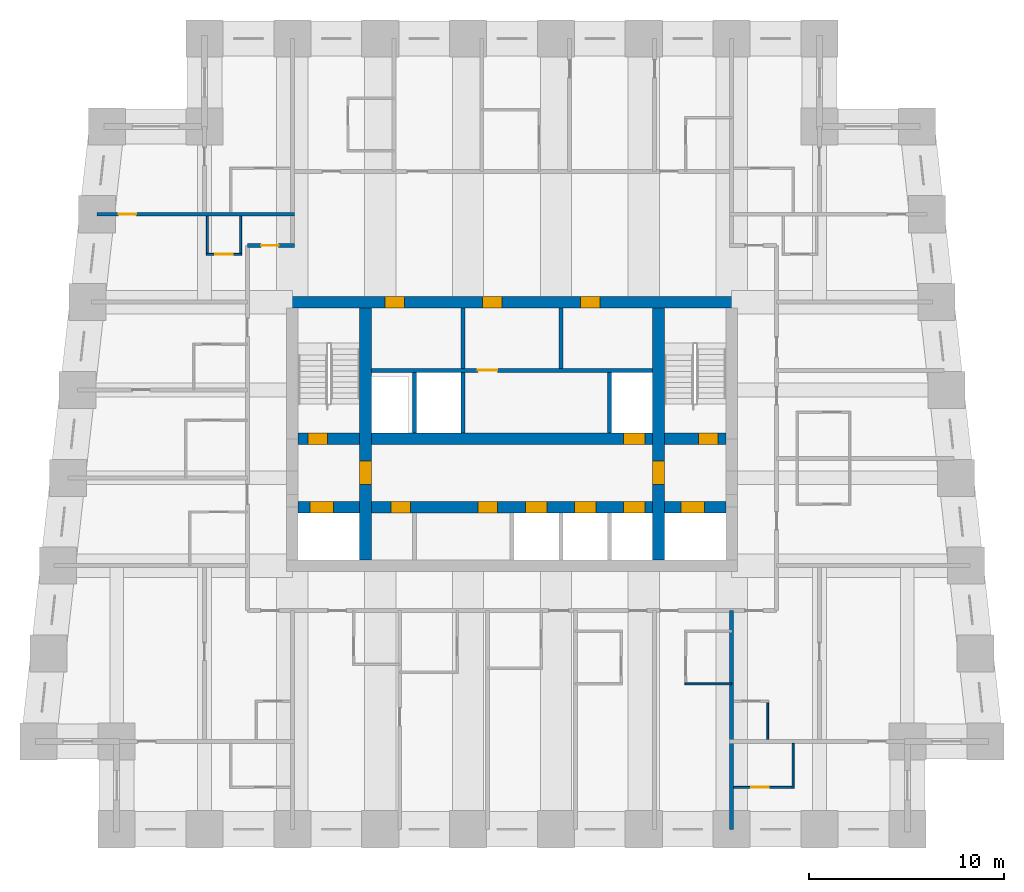
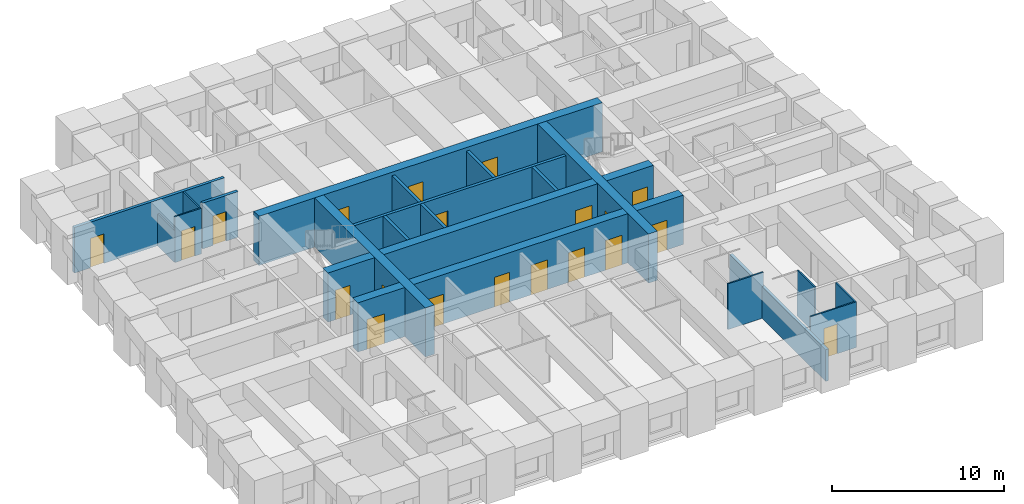
# One storey, part 4 of 8: 21 walls, 20 doors, 20 openings.
"""IFC4 building model written with IfcOpenShell, lengths in metres."""

import ifcopenshell
import ifcopenshell.guid

model = None  # the IFC model being written
_history = None  # IfcOwnerHistory: only IFC2X3 demands one
_inside = {}  # id of a spatial element -> (the spatial element, [elements in it])
_under = {}  # id of a project, library or spatial element -> (it, [spatial elements below it])
_declared = {}  # id of a project -> (the project, [libraries it declares])
_typed = {}  # id of a type object -> (the type object, [elements of that type])
_made_of = {}  # id of a material, layer set ... -> (it, [elements and type objects made of it])


def new_model(schema):
    """Start an empty IFC model of exactly this schema.

    Asked for "IFC4X3", IfcOpenShell would pick the latest addendum, in which some entities
    have other attributes; the version numbers below select the first issue.
    IFC2X3 requires an IfcOwnerHistory on every rooted entity: one is made here for all.
    """
    global model, _history
    if schema == "IFC4X3":
        model = ifcopenshell.file(schema_version=(4, 3, 0, 0))
    else:
        model = ifcopenshell.file(schema=schema)
    _inside.clear()
    _under.clear()
    _declared.clear()
    _typed.clear()
    _made_of.clear()
    _history = None
    if model.schema == "IFC2X3":
        org = make("IfcOrganization", Name="unknown")
        user = make(
            "IfcPersonAndOrganization",
            ThePerson=make("IfcPerson", FamilyName="unknown"),
            TheOrganization=org,
        )
        app = make(
            "IfcApplication",
            ApplicationDeveloper=org,
            Version="unknown",
            ApplicationFullName="unknown",
            ApplicationIdentifier="unknown",
        )
        _history = make(
            "IfcOwnerHistory",
            OwningUser=user,
            OwningApplication=app,
            ChangeAction="ADDED",
            CreationDate=0,
        )
    return model


def make(cls, **values):
    """One entity of the class cls with the attributes given. An attribute that is None is left unset."""
    return model.create_entity(
        cls, **{name: value for name, value in values.items() if value is not None}
    )


def rooted(cls, **values):
    """An entity with a GlobalId (a new one), such as an element, a storey or a relation."""
    return make(cls, GlobalId=ifcopenshell.guid.new(), OwnerHistory=_history, **values)


def si_unit(unit_type, name, prefix=None):
    """IfcSIUnit, for example si_unit("LENGTHUNIT", "METRE", prefix="MILLI")."""
    return make("IfcSIUnit", UnitType=unit_type, Prefix=prefix, Name=name)


def assignment(units):
    """IfcUnitAssignment: the units of a project."""
    return None if units is None else make("IfcUnitAssignment", Units=units)


def point(xyz):
    """IfcCartesianPoint."""
    return None if xyz is None else make("IfcCartesianPoint", Coordinates=xyz)


def direction(xyz):
    """IfcDirection."""
    return None if xyz is None else make("IfcDirection", DirectionRatios=xyz)


def frame(location, z_axis=None, x_axis=None):
    """IfcAxis2Placement3D, a coordinate frame: its origin and axes. An axis left out is left unset."""
    return make(
        "IfcAxis2Placement3D",
        Location=point(location),
        Axis=direction(z_axis),
        RefDirection=direction(x_axis),
    )


def frame_2d(location, x_axis=None):
    """IfcAxis2Placement2D, a coordinate frame in the plane: its origin and x axis."""
    return make(
        "IfcAxis2Placement2D", Location=point(location), RefDirection=direction(x_axis)
    )


def origin():
    """The frame at (0, 0, 0) with its axes left unset."""
    return frame((0.0, 0.0, 0.0))


def place(relative_to, where):
    """IfcLocalPlacement: puts the frame where relative to a parent placement (None: the world)."""
    return make(
        "IfcLocalPlacement", PlacementRelTo=relative_to, RelativePlacement=where
    )


def context(
    kind, dimensions, precision=None, world=None, true_north=None, identifier=None
):
    """IfcGeometricRepresentationContext, for example the 3D "Model" context."""
    return make(
        "IfcGeometricRepresentationContext",
        ContextIdentifier=identifier,
        ContextType=kind,
        CoordinateSpaceDimension=dimensions,
        Precision=precision,
        WorldCoordinateSystem=world,
        TrueNorth=true_north,
    )


def subcontext(parent, identifier, kind, view, scale=None):
    """IfcGeometricRepresentationSubContext, for example "Body" below "Model"."""
    return make(
        "IfcGeometricRepresentationSubContext",
        ContextIdentifier=identifier,
        ContextType=kind,
        ParentContext=parent,
        TargetScale=scale,
        TargetView=view,
    )


def project(units=None, contexts=None):
    """IfcProject with its units and contexts."""
    return rooted(
        "IfcProject",
        Name="project",
        RepresentationContexts=contexts,
        UnitsInContext=assignment(units),
    )


def spatial(cls, under=None, at=None, **own):
    """A site, building, storey or space (cls), placed at a placement, below another one or the project."""
    s = rooted(cls, ObjectPlacement=at, **own)
    if under is not None:
        _under.setdefault(under.id(), (under, []))[1].append(s)
    return s


def profile(cls, at=None, kind="AREA", **sizes):
    """A parametric profile (cls). Its sizes go by their IFC names, for example OverallWidth=200.0."""
    return make(cls, ProfileType=kind, Position=at, **sizes)


def rectangle(**sizes):
    """IfcRectangleProfileDef."""
    return profile("IfcRectangleProfileDef", **sizes)


def extrude(swept, where, along, depth):
    """IfcExtrudedAreaSolid: the profile swept, set in the frame where, extruded along a direction by depth."""
    return make(
        "IfcExtrudedAreaSolid",
        SweptArea=swept,
        Position=where,
        ExtrudedDirection=direction(along),
        Depth=depth,
    )


def shape(context_of_items, identifier, shape_type, items):
    """IfcShapeRepresentation: the items that make up one representation, for example the "Body"."""
    return make(
        "IfcShapeRepresentation",
        ContextOfItems=context_of_items,
        RepresentationIdentifier=identifier,
        RepresentationType=shape_type,
        Items=items,
    )


def material(Name=None, Category=None):
    """IfcMaterial."""
    return make("IfcMaterial", Name=Name, Category=Category)


def layer(
    of_material, thickness, ventilated=None, Name=None, Category=None, Priority=None
):
    """IfcMaterialLayer: one layer of a wall or slab, of a material (None: an air gap)."""
    return make(
        "IfcMaterialLayer",
        Material=of_material,
        LayerThickness=thickness,
        IsVentilated=ventilated,
        Name=Name,
        Category=Category,
        Priority=Priority,
    )


def layer_set(layers, Name=None):
    """IfcMaterialLayerSet."""
    return make("IfcMaterialLayerSet", MaterialLayers=layers, LayerSetName=Name)


def made_of(thing, what):
    """Note that an element or type object is made of a material, layer set ...; save() writes the relation."""
    if what is not None:
        _made_of.setdefault(what.id(), (what, []))[1].append(thing)
    return thing


def type_object(cls, material=None, **own):
    """A type object (cls), such as IfcWallType, which elements share."""
    return made_of(rooted(cls, **own), material)


def element(
    cls,
    number,
    at=None,
    inside=None,
    cuts=None,
    type_object=None,
    material=None,
    context=None,
    identifier="Body",
    shape_type=None,
    held_by="IfcProductDefinitionShape",
    body=None,
    shapes=None,
    **own,
):
    """One element of the class cls, such as IfcWall. Its Tag is "e" and its number.

    at: its placement. inside: the storey or other place that contains it. cuts: it is an
    opening in that element (IfcRelVoidsElement). A single representation is given by context,
    identifier, shape_type and body (its items); several are given by shapes. held_by: the class
    of the entity that holds the representations. save() writes the other relations.
    """
    e = rooted(cls, Tag="e%d" % number, ObjectPlacement=at, **own)
    if body is not None:
        shapes = [shape(context, identifier, shape_type, body)]
    if shapes is not None:
        e.Representation = make(held_by, Representations=shapes)
    if inside is not None:
        _inside.setdefault(inside.id(), (inside, []))[1].append(e)
    if cuts is not None:
        rooted(
            "IfcRelVoidsElement", RelatingBuildingElement=cuts, RelatedOpeningElement=e
        )
    if type_object is not None:
        _typed.setdefault(type_object.id(), (type_object, []))[1].append(e)
    return made_of(e, material)


def fill(opening, filler):
    """IfcRelFillsElement: the door or window that sits in an opening."""
    return rooted(
        "IfcRelFillsElement",
        RelatingOpeningElement=opening,
        RelatedBuildingElement=filler,
    )


def aggregate(whole, parts):
    """IfcRelAggregates: a whole, such as a stair, and the parts it consists of."""
    return rooted("IfcRelAggregates", RelatingObject=whole, RelatedObjects=parts)


def save(model, path):
    """Write the relations noted so far, then the file.

    IfcRelAggregates (storeys below a building ...), IfcRelContainedInSpatialStructure (elements
    in a storey), IfcRelDefinesByType, IfcRelAssociatesMaterial and IfcRelDeclares: one each for
    every whole, place, type object, material and project.
    """
    for whole, parts in _under.values():
        aggregate(whole, parts)
    for where, things in _inside.values():
        rooted(
            "IfcRelContainedInSpatialStructure",
            RelatedElements=things,
            RelatingStructure=where,
        )
    for kind, things in _typed.values():
        rooted("IfcRelDefinesByType", RelatedObjects=things, RelatingType=kind)
    for what, things in _made_of.values():
        rooted("IfcRelAssociatesMaterial", RelatedObjects=things, RelatingMaterial=what)
    for by, libraries in _declared.values():
        rooted("IfcRelDeclares", RelatingContext=by, RelatedDefinitions=libraries)
    model.write(path)


model = new_model("IFC4")

# Units and contexts
model_context = context("Model", 3, precision=1e-05, world=origin(), true_north=direction((0.0, 1.0)))
body_context = subcontext(model_context, "Body", "Model", "MODEL_VIEW")
ifc_project = project(units=[si_unit("LENGTHUNIT", "METRE"), si_unit("AREAUNIT", "SQUARE_METRE"), si_unit("VOLUMEUNIT", "CUBIC_METRE"), si_unit("PLANEANGLEUNIT", "RADIAN"), si_unit("MASSUNIT", "GRAM", prefix="KILO")], contexts=[model_context])

# Site, building, storey
site_placement = place(None, origin())
site = spatial("IfcSite", under=ifc_project, at=site_placement, CompositionType="ELEMENT")
building_placement = place(site_placement, origin())
building = spatial("IfcBuilding", under=site, at=building_placement, Name="Kilele Tower Hotel", CompositionType="ELEMENT")
storey_placement = place(building_placement, frame((0.0, 0.0, 128.39990234375)))
storey = spatial("IfcBuildingStorey", under=building, at=storey_placement, Name="L33", CompositionType="ELEMENT", Elevation=128.39990234375)

# Walls
ifc_material_1 = material(Name="Moisture-resistant board")
ifc_layer_1 = layer(ifc_material_1, 0.10009765625)
ifc_layer_set_1 = layer_set([ifc_layer_1], Name="Moisture-resistant board")
wall_type_1 = type_object("IfcWallType", Name="Bathroom partition 100", PredefinedType="PLUMBINGWALL", material=ifc_layer_set_1)
wall_1_placement = place(storey_placement, frame((33.60009765625, 7.449951171875, 0.0), z_axis=(0.0, 0.0, 1.0), x_axis=(1.0, 0.0, 0.0)))
element("IfcWall", 1, at=wall_1_placement, inside=storey, type_object=wall_type_1, Name="Bathroom partition 100 L33", PredefinedType="PLUMBINGWALL", context=body_context, shape_type="SweptSolid", body=[
    extrude(rectangle(XDim=2.39990234375, YDim=0.10009765625, at=frame_2d((1.199951171875, 0.0))), origin(), (0.0, 0.0, 1.0), 3.25),
])
wall_2_placement = place(storey_placement, frame((37.85009765625, 4.60009765625, 0.0), z_axis=(0.0, 0.0, 1.0), x_axis=(0.0, 1.0, 0.0)))
element("IfcWall", 2, at=wall_2_placement, inside=storey, type_object=wall_type_1, Name="Bathroom partition 100 L33", PredefinedType="PLUMBINGWALL", context=body_context, shape_type="SweptSolid", body=[
    extrude(rectangle(XDim=2.0, YDim=0.10009765625, at=frame_2d((1.0, 0.0))), origin(), (0.0, 0.0, 1.0), 3.25),
])
wall_3_placement = place(storey_placement, frame((39.14990234375, 4.39990234375, 0.0), z_axis=(0.0, 0.0, 1.0), x_axis=(0.0, -1.0, 0.0)))
element("IfcWall", 3, at=wall_3_placement, inside=storey, type_object=wall_type_1, Name="Bathroom partition 100 L33", PredefinedType="PLUMBINGWALL", context=body_context, shape_type="SweptSolid", body=[
    extrude(rectangle(XDim=2.2998046875, YDim=0.10009765625, at=frame_2d((1.14990234375, 0.0))), origin(), (0.0, 0.0, 1.0), 3.25),
])

# Wall, opening, door
wall_4_placement = place(storey_placement, frame((36.10009765625, 2.14990234375, 0.0), z_axis=(0.0, 0.0, 1.0), x_axis=(1.0, 0.0, 0.0)))
wall_4 = element("IfcWall", 4, at=wall_4_placement, inside=storey, type_object=wall_type_1, Name="Bathroom partition 100 L33", PredefinedType="PLUMBINGWALL", context=body_context, shape_type="SweptSolid", body=[
    extrude(rectangle(XDim=3.099853515625, YDim=0.10009765625, at=frame_2d((1.5498046875, 0.0))), origin(), (0.0, 0.0, 1.0), 3.25),
])
opening_1_placement = place(wall_4_placement, frame((1.7998046875, 0.0, 0.0), z_axis=(0.0, 0.0, 1.0), x_axis=(-1.0, 0.0, 0.0)))
opening_1 = element("IfcOpeningElement", 5, at=opening_1_placement, cuts=wall_4, Name="Opening D2A", PredefinedType="OPENING", context=body_context, shape_type="SweptSolid", body=[
    extrude(rectangle(XDim=0.89990234375, YDim=2.10009765625, at=frame_2d((0.449951171875, 1.050048828125))), frame((0.0, 0.06005859375, 0.0), z_axis=(0.0, -1.0, 0.0), x_axis=(1.0, 0.0, 0.0)), (0.0, 0.0, 1.0), 0.1201171875),
])
ifc_material_2 = material(Name="Timber door leaf in hardwood frame", Category="wood")
door_type_1 = type_object("IfcDoorType", Name="Bathroom door 900", OperationType="SINGLE_SWING_LEFT", PredefinedType="DOOR", material=ifc_material_2)
door_1_placement = place(opening_1_placement, origin())
door_1 = element("IfcDoor", 6, at=door_1_placement, inside=storey, type_object=door_type_1, Name="Bathroom door 3322B", OperationType="SINGLE_SWING_RIGHT", OverallHeight=2.10009765625, OverallWidth=0.89990234375, PredefinedType="DOOR", context=body_context, shape_type="SweptSolid", body=[
    extrude(rectangle(XDim=0.89990234375, YDim=2.10009765625, at=frame_2d((0.449951171875, 1.050048828125))), frame((0.0, 0.02490234375, 0.0), z_axis=(0.0, -1.0, 0.0), x_axis=(1.0, 0.0, 0.0)), (0.0, 0.0, 1.0), 0.050048828125),
])
fill(opening_1, door_1)

# Walls
wall_5_placement = place(storey_placement, frame((9.14990234375, 31.39990234375, 0.0), z_axis=(0.0, 0.0, 1.0), x_axis=(0.0, -1.0, 0.0)))
element("IfcWall", 7, at=wall_5_placement, inside=storey, type_object=wall_type_1, Name="Bathroom partition 100 L33", PredefinedType="PLUMBINGWALL", context=body_context, shape_type="SweptSolid", body=[
    extrude(rectangle(XDim=2.0, YDim=0.10009765625, at=frame_2d((1.0, 0.0))), origin(), (0.0, 0.0, 1.0), 2.25),
])
wall_6_placement = place(storey_placement, frame((10.85009765625, 31.39990234375, 0.0), z_axis=(0.0, 0.0, 1.0), x_axis=(0.0, -1.0, 0.0)))
element("IfcWall", 8, at=wall_6_placement, inside=storey, type_object=wall_type_1, Name="Bathroom partition 100 L33", PredefinedType="PLUMBINGWALL", context=body_context, shape_type="SweptSolid", body=[
    extrude(rectangle(XDim=2.0, YDim=0.10009765625, at=frame_2d((1.0, 0.0))), origin(), (0.0, 0.0, 1.0), 3.25),
])

# Wall, opening, door
wall_7_placement = place(storey_placement, frame((10.89990234375, 29.449951171875, 0.0), z_axis=(0.0, 0.0, 1.0), x_axis=(-1.0, 0.0, 0.0)))
wall_7 = element("IfcWall", 9, at=wall_7_placement, inside=storey, type_object=wall_type_1, Name="Bathroom partition 100 L33", PredefinedType="PLUMBINGWALL", context=body_context, shape_type="SweptSolid", body=[
    extrude(rectangle(XDim=1.7998046875, YDim=0.10009765625, at=frame_2d((0.89990234375, 0.0))), origin(), (0.0, 0.0, 1.0), 3.25),
])
opening_2_placement = place(wall_7_placement, frame((0.449951171875, 0.0, 0.0)))
opening_2 = element("IfcOpeningElement", 10, at=opening_2_placement, cuts=wall_7, Name="Opening D2A", PredefinedType="OPENING", context=body_context, shape_type="SweptSolid", body=[
    extrude(rectangle(XDim=0.89990234375, YDim=2.10009765625, at=frame_2d((0.449951171875, 1.050048828125))), frame((0.0, 0.06005859375, 0.0), z_axis=(0.0, -1.0, 0.0), x_axis=(1.0, 0.0, 0.0)), (0.0, 0.0, 1.0), 0.1201171875),
])
door_2_placement = place(opening_2_placement, origin())
door_2 = element("IfcDoor", 11, at=door_2_placement, inside=storey, type_object=door_type_1, Name="Bathroom door 3326P", OperationType="SINGLE_SWING_LEFT", OverallHeight=2.10009765625, OverallWidth=0.89990234375, PredefinedType="DOOR", context=body_context, shape_type="SweptSolid", body=[
    extrude(rectangle(XDim=0.89990234375, YDim=2.10009765625, at=frame_2d((0.449951171875, 1.050048828125))), frame((0.0, 0.02490234375, 0.0), z_axis=(0.0, -1.0, 0.0), x_axis=(1.0, 0.0, 0.0)), (0.0, 0.0, 1.0), 0.050048828125),
])
fill(opening_2, door_2)

# Wall, openings, doors
ifc_material_3 = material(Name="Concrete C60/75", Category="concrete")
ifc_layer_2 = layer(ifc_material_3, 0.60009765625)
ifc_layer_set_2 = layer_set([ifc_layer_2], Name="Concrete C60/75")
wall_type_2 = type_object("IfcWallType", Name="Core wall 600 C60/75", PredefinedType="SHEAR", material=ifc_layer_set_2)
wall_8_placement = place(storey_placement, frame((36.300048828125, 27.0, 0.0), z_axis=(0.0, 0.0, 1.0), x_axis=(-1.0, 0.0, 0.0)))
wall_8 = element("IfcWall", 12, at=wall_8_placement, inside=storey, type_object=wall_type_2, Name="Core wall N L33", PredefinedType="SHEAR", context=body_context, shape_type="SweptSolid", body=[
    extrude(rectangle(XDim=23.10009765625, YDim=0.60009765625, at=frame_2d((11.550048828125, 0.0))), origin(), (0.0, 0.0, 1.0), 3.5),
])
opening_3_placement = place(wall_8_placement, frame((17.050048828125, 0.0, 0.0)))
opening_3 = element("IfcOpeningElement", 13, at=opening_3_placement, cuts=wall_8, Name="Opening D6", PredefinedType="OPENING", context=body_context, shape_type="SweptSolid", body=[
    extrude(rectangle(XDim=1.0, YDim=2.10009765625, at=frame_2d((0.5, 1.050048828125))), frame((0.0, 0.31005859375, 0.0), z_axis=(0.0, -1.0, 0.0), x_axis=(1.0, 0.0, 0.0)), (0.0, 0.0, 1.0), 0.6201171875),
])
opening_4_placement = place(wall_8_placement, frame((12.050048828125, 0.0, 0.0)))
opening_4 = element("IfcOpeningElement", 14, at=opening_4_placement, cuts=wall_8, Name="Opening D6", PredefinedType="OPENING", context=body_context, shape_type="SweptSolid", body=[
    extrude(rectangle(XDim=1.0, YDim=2.10009765625, at=frame_2d((0.5, 1.050048828125))), frame((0.0, 0.31005859375, 0.0), z_axis=(0.0, -1.0, 0.0), x_axis=(1.0, 0.0, 0.0)), (0.0, 0.0, 1.0), 0.6201171875),
])
opening_5_placement = place(wall_8_placement, frame((7.050048828125, 0.0, 0.0)))
opening_5 = element("IfcOpeningElement", 15, at=opening_5_placement, cuts=wall_8, Name="Opening D6", PredefinedType="OPENING", context=body_context, shape_type="SweptSolid", body=[
    extrude(rectangle(XDim=1.0, YDim=2.10009765625, at=frame_2d((0.5, 1.050048828125))), frame((0.0, 0.31005859375, 0.0), z_axis=(0.0, -1.0, 0.0), x_axis=(1.0, 0.0, 0.0)), (0.0, 0.0, 1.0), 0.6201171875),
])
ifc_material_4 = material(Name="Timber door leaf in hardwood frame", Category="wood")
door_type_2 = type_object("IfcDoorType", Name="Riser door 1000", OperationType="SINGLE_SWING_LEFT", PredefinedType="DOOR", material=ifc_material_4)
door_3_placement = place(opening_3_placement, origin())
door_3 = element("IfcDoor", 16, at=door_3_placement, inside=storey, type_object=door_type_2, Name="Service riser door L33", OperationType="SINGLE_SWING_RIGHT", OverallHeight=2.10009765625, OverallWidth=1.0, PredefinedType="DOOR", context=body_context, shape_type="SweptSolid", body=[
    extrude(rectangle(XDim=1.0, YDim=2.10009765625, at=frame_2d((0.5, 1.050048828125))), frame((0.0, 0.2998046875, 0.0), z_axis=(0.0, -1.0, 0.0), x_axis=(1.0, 0.0, 0.0)), (0.0, 0.0, 1.0), 0.599609375),
])
fill(opening_3, door_3)
door_4_placement = place(opening_4_placement, origin())
door_4 = element("IfcDoor", 17, at=door_4_placement, inside=storey, type_object=door_type_2, Name="Housekeeping store door L33", OperationType="SINGLE_SWING_RIGHT", OverallHeight=2.10009765625, OverallWidth=1.0, PredefinedType="DOOR", context=body_context, shape_type="SweptSolid", body=[
    extrude(rectangle(XDim=1.0, YDim=2.10009765625, at=frame_2d((0.5, 1.050048828125))), frame((0.0, 0.2998046875, 0.0), z_axis=(0.0, -1.0, 0.0), x_axis=(1.0, 0.0, 0.0)), (0.0, 0.0, 1.0), 0.599609375),
])
fill(opening_4, door_4)
door_5_placement = place(opening_5_placement, origin())
door_5 = element("IfcDoor", 18, at=door_5_placement, inside=storey, type_object=door_type_2, Name="Electrical riser door L33", OperationType="SINGLE_SWING_RIGHT", OverallHeight=2.10009765625, OverallWidth=1.0, PredefinedType="DOOR", context=body_context, shape_type="SweptSolid", body=[
    extrude(rectangle(XDim=1.0, YDim=2.10009765625, at=frame_2d((0.5, 1.050048828125))), frame((0.0, 0.2998046875, 0.0), z_axis=(0.0, -1.0, 0.0), x_axis=(1.0, 0.0, 0.0)), (0.0, 0.0, 1.0), 0.599609375),
])
fill(opening_5, door_5)

# Wall, opening, door
wall_9_placement = place(storey_placement, frame((17.25, 13.800048828125, 0.0), z_axis=(0.0, 0.0, 1.0), x_axis=(0.0, 1.0, 0.0)))
wall_9 = element("IfcWall", 19, at=wall_9_placement, inside=storey, type_object=wall_type_2, Name="Core wall IW L33", PredefinedType="SHEAR", context=body_context, shape_type="SweptSolid", body=[
    extrude(rectangle(XDim=12.89990234375, YDim=0.60009765625, at=frame_2d((6.449951171875, 0.0))), origin(), (0.0, 0.0, 1.0), 3.5),
])
opening_6_placement = place(wall_9_placement, frame((3.85009765625, 0.0, 0.0)))
opening_6 = element("IfcOpeningElement", 20, at=opening_6_placement, cuts=wall_9, Name="Opening D4", PredefinedType="OPENING", context=body_context, shape_type="SweptSolid", body=[
    extrude(rectangle(XDim=1.199951171875, YDim=2.10009765625, at=frame_2d((0.60009765625, 1.050048828125))), frame((0.0, 0.31005859375, 0.0), z_axis=(0.0, -1.0, 0.0), x_axis=(1.0, 0.0, 0.0)), (0.0, 0.0, 1.0), 0.6201171875),
])
ifc_material_5 = material(Name="Timber door leaf in hardwood frame", Category="wood")
door_type_3 = type_object("IfcDoorType", Name="Firefighting lobby door 1200", OperationType="SINGLE_SWING_LEFT", PredefinedType="DOOR", material=ifc_material_5)
door_6_placement = place(opening_6_placement, origin())
door_6 = element("IfcDoor", 21, at=door_6_placement, inside=storey, type_object=door_type_3, Name="Lobby door L33", OperationType="SINGLE_SWING_LEFT", OverallHeight=2.10009765625, OverallWidth=1.199951171875, PredefinedType="DOOR", context=body_context, shape_type="SweptSolid", body=[
    extrude(rectangle(XDim=1.199951171875, YDim=2.10009765625, at=frame_2d((0.60009765625, 1.050048828125))), frame((0.0, 0.2998046875, 0.0), z_axis=(0.0, -1.0, 0.0), x_axis=(1.0, 0.0, 0.0)), (0.0, 0.0, 1.0), 0.599609375),
])
fill(opening_6, door_6)

wall_10_placement = place(storey_placement, frame((32.25, 13.800048828125, 0.0), z_axis=(0.0, 0.0, 1.0), x_axis=(0.0, 1.0, 0.0)))
wall_10 = element("IfcWall", 22, at=wall_10_placement, inside=storey, type_object=wall_type_2, Name="Core wall IE L33", PredefinedType="SHEAR", context=body_context, shape_type="SweptSolid", body=[
    extrude(rectangle(XDim=12.89990234375, YDim=0.60009765625, at=frame_2d((6.449951171875, 0.0))), origin(), (0.0, 0.0, 1.0), 3.5),
])
opening_7_placement = place(wall_10_placement, frame((5.050048828125, 0.0, 0.0), z_axis=(0.0, 0.0, 1.0), x_axis=(-1.0, 0.0, 0.0)))
opening_7 = element("IfcOpeningElement", 23, at=opening_7_placement, cuts=wall_10, Name="Opening D4", PredefinedType="OPENING", context=body_context, shape_type="SweptSolid", body=[
    extrude(rectangle(XDim=1.199951171875, YDim=2.10009765625, at=frame_2d((0.60009765625, 1.050048828125))), frame((0.0, 0.31005859375, 0.0), z_axis=(0.0, -1.0, 0.0), x_axis=(1.0, 0.0, 0.0)), (0.0, 0.0, 1.0), 0.6201171875),
])
door_7_placement = place(opening_7_placement, origin())
door_7 = element("IfcDoor", 24, at=door_7_placement, inside=storey, type_object=door_type_3, Name="Lobby door L33", OperationType="SINGLE_SWING_RIGHT", OverallHeight=2.10009765625, OverallWidth=1.199951171875, PredefinedType="DOOR", context=body_context, shape_type="SweptSolid", body=[
    extrude(rectangle(XDim=1.199951171875, YDim=2.10009765625, at=frame_2d((0.60009765625, 1.050048828125))), frame((0.0, 0.2998046875, 0.0), z_axis=(0.0, -1.0, 0.0), x_axis=(1.0, 0.0, 0.0)), (0.0, 0.0, 1.0), 0.599609375),
])
fill(opening_7, door_7)

# Wall, openings, doors
wall_11_placement = place(storey_placement, frame((13.800048828125, 16.5, 0.0), z_axis=(0.0, 0.0, 1.0), x_axis=(1.0, 0.0, 0.0)))
wall_11 = element("IfcWall", 25, at=wall_11_placement, inside=storey, type_object=wall_type_2, Name="Core wall LS L33", PredefinedType="SHEAR", context=body_context, shape_type="SweptSolid", body=[
    extrude(rectangle(XDim=21.89990234375, YDim=0.60009765625, at=frame_2d((10.949951171875, 0.0))), origin(), (0.0, 0.0, 1.0), 3.5),
])
opening_8_placement = place(wall_11_placement, frame((11.64990234375, 0.0, 0.0)))
opening_8 = element("IfcOpeningElement", 26, at=opening_8_placement, cuts=wall_11, Name="Opening LD1", PredefinedType="OPENING", context=body_context, shape_type="SweptSolid", body=[
    extrude(rectangle(XDim=1.10009765625, YDim=2.10009765625, at=frame_2d((0.550048828125, 1.050048828125))), frame((0.0, 0.31005859375, 0.0), z_axis=(0.0, -1.0, 0.0), x_axis=(1.0, 0.0, 0.0)), (0.0, 0.0, 1.0), 0.6201171875),
])
opening_9_placement = place(wall_11_placement, frame((14.14990234375, 0.0, 0.0)))
opening_9 = element("IfcOpeningElement", 27, at=opening_9_placement, cuts=wall_11, Name="Opening LD1", PredefinedType="OPENING", context=body_context, shape_type="SweptSolid", body=[
    extrude(rectangle(XDim=1.10009765625, YDim=2.10009765625, at=frame_2d((0.550048828125, 1.050048828125))), frame((0.0, 0.31005859375, 0.0), z_axis=(0.0, -1.0, 0.0), x_axis=(1.0, 0.0, 0.0)), (0.0, 0.0, 1.0), 0.6201171875),
])
opening_10_placement = place(wall_11_placement, frame((16.64990234375, 0.0, 0.0)))
opening_10 = element("IfcOpeningElement", 28, at=opening_10_placement, cuts=wall_11, Name="Opening LD1", PredefinedType="OPENING", context=body_context, shape_type="SweptSolid", body=[
    extrude(rectangle(XDim=1.10009765625, YDim=2.10009765625, at=frame_2d((0.550048828125, 1.050048828125))), frame((0.0, 0.31005859375, 0.0), z_axis=(0.0, -1.0, 0.0), x_axis=(1.0, 0.0, 0.0)), (0.0, 0.0, 1.0), 0.6201171875),
])
opening_11_placement = place(wall_11_placement, frame((5.75, 0.0, 0.0), z_axis=(0.0, 0.0, 1.0), x_axis=(-1.0, 0.0, 0.0)))
opening_11 = element("IfcOpeningElement", 29, at=opening_11_placement, cuts=wall_11, Name="Opening D11", PredefinedType="OPENING", context=body_context, shape_type="SweptSolid", body=[
    extrude(rectangle(XDim=1.0, YDim=2.10009765625, at=frame_2d((0.5, 1.050048828125))), frame((0.0, 0.31005859375, 0.0), z_axis=(0.0, -1.0, 0.0), x_axis=(1.0, 0.0, 0.0)), (0.0, 0.0, 1.0), 0.6201171875),
])
opening_12_placement = place(wall_11_placement, frame((10.199951171875, 0.0, 0.0), z_axis=(0.0, 0.0, 1.0), x_axis=(-1.0, 0.0, 0.0)))
opening_12 = element("IfcOpeningElement", 30, at=opening_12_placement, cuts=wall_11, Name="Opening D11", PredefinedType="OPENING", context=body_context, shape_type="SweptSolid", body=[
    extrude(rectangle(XDim=1.0, YDim=2.10009765625, at=frame_2d((0.5, 1.050048828125))), frame((0.0, 0.31005859375, 0.0), z_axis=(0.0, -1.0, 0.0), x_axis=(1.0, 0.0, 0.0)), (0.0, 0.0, 1.0), 0.6201171875),
])
opening_13_placement = place(wall_11_placement, frame((0.60009765625, 0.0, 0.0)))
opening_13 = element("IfcOpeningElement", 31, at=opening_13_placement, cuts=wall_11, Name="Opening LD2", PredefinedType="OPENING", context=body_context, shape_type="SweptSolid", body=[
    extrude(rectangle(XDim=1.199951171875, YDim=2.10009765625, at=frame_2d((0.60009765625, 1.050048828125))), frame((0.0, 0.31005859375, 0.0), z_axis=(0.0, -1.0, 0.0), x_axis=(1.0, 0.0, 0.0)), (0.0, 0.0, 1.0), 0.6201171875),
])
opening_14_placement = place(wall_11_placement, frame((19.60009765625, 0.0, 0.0)))
opening_14 = element("IfcOpeningElement", 32, at=opening_14_placement, cuts=wall_11, Name="Opening LD2", PredefinedType="OPENING", context=body_context, shape_type="SweptSolid", body=[
    extrude(rectangle(XDim=1.199951171875, YDim=2.10009765625, at=frame_2d((0.60009765625, 1.050048828125))), frame((0.0, 0.31005859375, 0.0), z_axis=(0.0, -1.0, 0.0), x_axis=(1.0, 0.0, 0.0)), (0.0, 0.0, 1.0), 0.6201171875),
])
ifc_material_6 = material(Name="Timber door leaf in hardwood frame", Category="wood")
door_type_4 = type_object("IfcDoorType", Name="Core store door 1000", OperationType="SINGLE_SWING_LEFT", PredefinedType="DOOR", material=ifc_material_6)
door_8_placement = place(opening_11_placement, origin())
door_8 = element("IfcDoor", 33, at=door_8_placement, inside=storey, type_object=door_type_4, Name="Core room door L1 L33", OperationType="SINGLE_SWING_LEFT", OverallHeight=2.10009765625, OverallWidth=1.0, PredefinedType="DOOR", context=body_context, shape_type="SweptSolid", body=[
    extrude(rectangle(XDim=1.0, YDim=2.10009765625, at=frame_2d((0.5, 1.050048828125))), frame((0.0, 0.2998046875, 0.0), z_axis=(0.0, -1.0, 0.0), x_axis=(1.0, 0.0, 0.0)), (0.0, 0.0, 1.0), 0.599609375),
])
fill(opening_11, door_8)
door_9_placement = place(opening_12_placement, origin())
door_9 = element("IfcDoor", 34, at=door_9_placement, inside=storey, type_object=door_type_4, Name="Core room door L3 L33", OperationType="SINGLE_SWING_LEFT", OverallHeight=2.10009765625, OverallWidth=1.0, PredefinedType="DOOR", context=body_context, shape_type="SweptSolid", body=[
    extrude(rectangle(XDim=1.0, YDim=2.10009765625, at=frame_2d((0.5, 1.050048828125))), frame((0.0, 0.2998046875, 0.0), z_axis=(0.0, -1.0, 0.0), x_axis=(1.0, 0.0, 0.0)), (0.0, 0.0, 1.0), 0.599609375),
])
fill(opening_12, door_9)
ifc_material_7 = material(Name="Steel lift landing door", Category="steel")
door_type_5 = type_object("IfcDoorType", Name="Firefighting lift landing door 1200", OperationType="SLIDING_TO_LEFT", PredefinedType="DOOR", material=ifc_material_7)
door_10_placement = place(opening_13_placement, origin())
door_10 = element("IfcDoor", 35, at=door_10_placement, inside=storey, type_object=door_type_5, Name="Landing door FFW L33", OperationType="SLIDING_TO_LEFT", OverallHeight=2.10009765625, OverallWidth=1.199951171875, PredefinedType="DOOR", context=body_context, shape_type="SweptSolid", body=[
    extrude(rectangle(XDim=1.199951171875, YDim=2.10009765625, at=frame_2d((0.60009765625, 1.050048828125))), frame((0.0, 0.2998046875, 0.0), z_axis=(0.0, -1.0, 0.0), x_axis=(1.0, 0.0, 0.0)), (0.0, 0.0, 1.0), 0.599609375),
])
fill(opening_13, door_10)
door_11_placement = place(opening_14_placement, origin())
door_11 = element("IfcDoor", 36, at=door_11_placement, inside=storey, type_object=door_type_5, Name="Landing door FFE L33", OperationType="SLIDING_TO_LEFT", OverallHeight=2.10009765625, OverallWidth=1.199951171875, PredefinedType="DOOR", context=body_context, shape_type="SweptSolid", body=[
    extrude(rectangle(XDim=1.199951171875, YDim=2.10009765625, at=frame_2d((0.60009765625, 1.050048828125))), frame((0.0, 0.2998046875, 0.0), z_axis=(0.0, -1.0, 0.0), x_axis=(1.0, 0.0, 0.0)), (0.0, 0.0, 1.0), 0.599609375),
])
fill(opening_14, door_11)
ifc_material_8 = material(Name="Steel lift landing door", Category="steel")
door_type_6 = type_object("IfcDoorType", Name="Lift landing door 1100", OperationType="SLIDING_TO_LEFT", PredefinedType="DOOR", material=ifc_material_8)
door_12_placement = place(opening_8_placement, origin())
door_12 = element("IfcDoor", 37, at=door_12_placement, inside=storey, type_object=door_type_6, Name="Landing door M1 L33", OperationType="SLIDING_TO_LEFT", OverallHeight=2.10009765625, OverallWidth=1.10009765625, PredefinedType="DOOR", context=body_context, shape_type="SweptSolid", body=[
    extrude(rectangle(XDim=1.10009765625, YDim=2.10009765625, at=frame_2d((0.550048828125, 1.050048828125))), frame((0.0, 0.2998046875, 0.0), z_axis=(0.0, -1.0, 0.0), x_axis=(1.0, 0.0, 0.0)), (0.0, 0.0, 1.0), 0.599609375),
])
fill(opening_8, door_12)
door_13_placement = place(opening_9_placement, origin())
door_13 = element("IfcDoor", 38, at=door_13_placement, inside=storey, type_object=door_type_6, Name="Landing door M2 L33", OperationType="SLIDING_TO_LEFT", OverallHeight=2.10009765625, OverallWidth=1.10009765625, PredefinedType="DOOR", context=body_context, shape_type="SweptSolid", body=[
    extrude(rectangle(XDim=1.10009765625, YDim=2.10009765625, at=frame_2d((0.550048828125, 1.050048828125))), frame((0.0, 0.2998046875, 0.0), z_axis=(0.0, -1.0, 0.0), x_axis=(1.0, 0.0, 0.0)), (0.0, 0.0, 1.0), 0.599609375),
])
fill(opening_9, door_13)
door_14_placement = place(opening_10_placement, origin())
door_14 = element("IfcDoor", 39, at=door_14_placement, inside=storey, type_object=door_type_6, Name="Landing door M3 L33", OperationType="SLIDING_TO_LEFT", OverallHeight=2.10009765625, OverallWidth=1.10009765625, PredefinedType="DOOR", context=body_context, shape_type="SweptSolid", body=[
    extrude(rectangle(XDim=1.10009765625, YDim=2.10009765625, at=frame_2d((0.550048828125, 1.050048828125))), frame((0.0, 0.2998046875, 0.0), z_axis=(0.0, -1.0, 0.0), x_axis=(1.0, 0.0, 0.0)), (0.0, 0.0, 1.0), 0.599609375),
])
fill(opening_10, door_14)

wall_12_placement = place(storey_placement, frame((13.800048828125, 20.0, 0.0), z_axis=(0.0, 0.0, 1.0), x_axis=(1.0, 0.0, 0.0)))
wall_12 = element("IfcWall", 40, at=wall_12_placement, inside=storey, type_object=wall_type_2, Name="Core wall LN L33", PredefinedType="SHEAR", context=body_context, shape_type="SweptSolid", body=[
    extrude(rectangle(XDim=21.89990234375, YDim=0.60009765625, at=frame_2d((10.949951171875, 0.0))), origin(), (0.0, 0.0, 1.0), 3.5),
])
opening_15_placement = place(wall_12_placement, frame((0.5, 0.0, 0.0)))
opening_15 = element("IfcOpeningElement", 41, at=opening_15_placement, cuts=wall_12, Name="Opening D5", PredefinedType="OPENING", context=body_context, shape_type="SweptSolid", body=[
    extrude(rectangle(XDim=1.0, YDim=2.10009765625, at=frame_2d((0.5, 1.050048828125))), frame((0.0, 0.31005859375, 0.0), z_axis=(0.0, -1.0, 0.0), x_axis=(1.0, 0.0, 0.0)), (0.0, 0.0, 1.0), 0.6201171875),
])
opening_16_placement = place(wall_12_placement, frame((20.5, 0.0, 0.0)))
opening_16 = element("IfcOpeningElement", 42, at=opening_16_placement, cuts=wall_12, Name="Opening D5", PredefinedType="OPENING", context=body_context, shape_type="SweptSolid", body=[
    extrude(rectangle(XDim=1.0, YDim=2.10009765625, at=frame_2d((0.5, 1.050048828125))), frame((0.0, 0.31005859375, 0.0), z_axis=(0.0, -1.0, 0.0), x_axis=(1.0, 0.0, 0.0)), (0.0, 0.0, 1.0), 0.6201171875),
])
opening_17_placement = place(wall_12_placement, frame((16.64990234375, 0.0, 0.0)))
opening_17 = element("IfcOpeningElement", 43, at=opening_17_placement, cuts=wall_12, Name="Opening LD1", PredefinedType="OPENING", context=body_context, shape_type="SweptSolid", body=[
    extrude(rectangle(XDim=1.10009765625, YDim=2.10009765625, at=frame_2d((0.550048828125, 1.050048828125))), frame((0.0, 0.31005859375, 0.0), z_axis=(0.0, -1.0, 0.0), x_axis=(1.0, 0.0, 0.0)), (0.0, 0.0, 1.0), 0.6201171875),
])
door_15_placement = place(opening_17_placement, origin())
door_15 = element("IfcDoor", 44, at=door_15_placement, inside=storey, type_object=door_type_6, Name="Landing door G1 L33", OperationType="SLIDING_TO_LEFT", OverallHeight=2.10009765625, OverallWidth=1.10009765625, PredefinedType="DOOR", context=body_context, shape_type="SweptSolid", body=[
    extrude(rectangle(XDim=1.10009765625, YDim=2.10009765625, at=frame_2d((0.550048828125, 1.050048828125))), frame((0.0, 0.2998046875, 0.0), z_axis=(0.0, -1.0, 0.0), x_axis=(1.0, 0.0, 0.0)), (0.0, 0.0, 1.0), 0.599609375),
])
fill(opening_17, door_15)
ifc_material_9 = material(Name="Timber door leaf in hardwood frame", Category="wood")
door_type_7 = type_object("IfcDoorType", Name="Stair door 1000", OperationType="SINGLE_SWING_LEFT", PredefinedType="DOOR", material=ifc_material_9)
door_16_placement = place(opening_15_placement, origin())
door_16 = element("IfcDoor", 45, at=door_16_placement, inside=storey, type_object=door_type_7, Name="Stair 1 door L33", OperationType="SINGLE_SWING_LEFT", OverallHeight=2.10009765625, OverallWidth=1.0, PredefinedType="DOOR", context=body_context, shape_type="SweptSolid", body=[
    extrude(rectangle(XDim=1.0, YDim=2.10009765625, at=frame_2d((0.5, 1.050048828125))), frame((0.0, 0.2998046875, 0.0), z_axis=(0.0, -1.0, 0.0), x_axis=(1.0, 0.0, 0.0)), (0.0, 0.0, 1.0), 0.599609375),
])
fill(opening_15, door_16)
door_17_placement = place(opening_16_placement, origin())
door_17 = element("IfcDoor", 46, at=door_17_placement, inside=storey, type_object=door_type_7, Name="Stair 2 door L33", OperationType="SINGLE_SWING_RIGHT", OverallHeight=2.10009765625, OverallWidth=1.0, PredefinedType="DOOR", context=body_context, shape_type="SweptSolid", body=[
    extrude(rectangle(XDim=1.0, YDim=2.10009765625, at=frame_2d((0.5, 1.050048828125))), frame((0.0, 0.2998046875, 0.0), z_axis=(0.0, -1.0, 0.0), x_axis=(1.0, 0.0, 0.0)), (0.0, 0.0, 1.0), 0.599609375),
])
fill(opening_16, door_17)

# Wall, opening, door
ifc_material_10 = material(Name="Blockwork, plastered both sides", Category="masonry")
ifc_layer_3 = layer(ifc_material_10, 0.199951171875)
ifc_layer_set_3 = layer_set([ifc_layer_3], Name="Blockwork, plastered both sides")
wall_type_3 = type_object("IfcWallType", Name="Corridor wall 200", PredefinedType="PARTITIONING", material=ifc_layer_set_3)
wall_13_placement = place(storey_placement, frame((11.199951171875, 29.89990234375, 0.0), z_axis=(0.0, 0.0, 1.0), x_axis=(1.0, 0.0, 0.0)))
wall_13 = element("IfcWall", 47, at=wall_13_placement, inside=storey, type_object=wall_type_3, Name="Corridor wall 200 L33", PredefinedType="PARTITIONING", context=body_context, shape_type="SweptSolid", body=[
    extrude(rectangle(XDim=2.400146484375, YDim=0.199951171875, at=frame_2d((1.2001953125, 0.0))), origin(), (0.0, 0.0, 1.0), 3.25),
])
opening_18_placement = place(wall_13_placement, frame((0.699951171875, 0.0, 0.0)))
opening_18 = element("IfcOpeningElement", 48, at=opening_18_placement, cuts=wall_13, Name="Opening D1", PredefinedType="OPENING", context=body_context, shape_type="SweptSolid", body=[
    extrude(rectangle(XDim=0.89990234375, YDim=2.10009765625, at=frame_2d((0.449951171875, 1.050048828125))), frame((0.0, 0.10986328125, 0.0), z_axis=(0.0, -1.0, 0.0), x_axis=(1.0, 0.0, 0.0)), (0.0, 0.0, 1.0), 0.219970703125),
])
ifc_material_11 = material(Name="Timber door leaf in hardwood frame", Category="wood")
door_type_8 = type_object("IfcDoorType", Name="Guest room entrance door 900", OperationType="SINGLE_SWING_LEFT", PredefinedType="DOOR", material=ifc_material_11)
door_18_placement = place(opening_18_placement, origin())
door_18 = element("IfcDoor", 49, at=door_18_placement, inside=storey, type_object=door_type_8, Name="Room entrance 3326", OperationType="SINGLE_SWING_RIGHT", OverallHeight=2.10009765625, OverallWidth=0.89990234375, PredefinedType="DOOR", context=body_context, shape_type="SweptSolid", body=[
    extrude(rectangle(XDim=0.89990234375, YDim=2.10009765625, at=frame_2d((0.449951171875, 1.050048828125))), frame((0.0, 0.02490234375, 0.0), z_axis=(0.0, -1.0, 0.0), x_axis=(1.0, 0.0, 0.0)), (0.0, 0.0, 1.0), 0.050048828125),
])
fill(opening_18, door_18)

# Wall
ifc_material_12 = material(Name="Blockwork, plastered both sides", Category="masonry")
ifc_layer_4 = layer(ifc_material_12, 0.199951171875)
ifc_layer_set_4 = layer_set([ifc_layer_4], Name="Blockwork, plastered both sides")
wall_type_4 = type_object("IfcWallType", Name="Party wall 200", PredefinedType="PARTITIONING", material=ifc_layer_set_4)
wall_14_placement = place(storey_placement, frame((36.0, 11.199951171875, 0.0), z_axis=(0.0, 0.0, 1.0), x_axis=(0.0, -1.0, 0.0)))
element("IfcWall", 50, at=wall_14_placement, inside=storey, type_object=wall_type_4, Name="Party wall 200 L33", PredefinedType="PARTITIONING", context=body_context, shape_type="SweptSolid", body=[
    extrude(rectangle(XDim=11.199951171875, YDim=0.199951171875, at=frame_2d((5.60009765625, 0.0))), origin(), (0.0, 0.0, 1.0), 2.25),
])

# Wall, opening, door
wall_15_placement = place(storey_placement, frame((13.60009765625, 31.5, 0.0), z_axis=(0.0, 0.0, 1.0), x_axis=(-1.0, 0.0, 0.0)))
wall_15 = element("IfcWall", 51, at=wall_15_placement, inside=storey, type_object=wall_type_4, Name="Party wall 200 L33", PredefinedType="PARTITIONING", context=body_context, shape_type="SweptSolid", body=[
    extrude(rectangle(XDim=10.09912109375, YDim=0.199951171875, at=frame_2d((5.049560546875, 0.0))), origin(), (0.0, 0.0, 1.0), 3.25),
])
opening_19_placement = place(wall_15_placement, frame((8.9990234375, 0.0, 0.0), z_axis=(0.0, 0.0, 1.0), x_axis=(-1.0, 0.0, 0.0)))
opening_19 = element("IfcOpeningElement", 52, at=opening_19_placement, cuts=wall_15, Name="Opening D3", PredefinedType="OPENING", context=body_context, shape_type="SweptSolid", body=[
    extrude(rectangle(XDim=0.89990234375, YDim=2.10009765625, at=frame_2d((0.449951171875, 1.050048828125))), frame((0.0, 0.10986328125, 0.0), z_axis=(0.0, -1.0, 0.0), x_axis=(1.0, 0.0, 0.0)), (0.0, 0.0, 1.0), 0.219970703125),
])
ifc_material_13 = material(Name="Timber door leaf in hardwood frame", Category="wood")
door_type_9 = type_object("IfcDoorType", Name="Suite internal door 900", OperationType="SINGLE_SWING_LEFT", PredefinedType="DOOR", material=ifc_material_13)
door_19_placement = place(opening_19_placement, origin())
door_19 = element("IfcDoor", 53, at=door_19_placement, inside=storey, type_object=door_type_9, Name="Suite door 3327", OperationType="SINGLE_SWING_LEFT", OverallHeight=2.10009765625, OverallWidth=0.89990234375, PredefinedType="DOOR", context=body_context, shape_type="SweptSolid", body=[
    extrude(rectangle(XDim=0.89990234375, YDim=2.10009765625, at=frame_2d((0.449951171875, 1.050048828125))), frame((0.0, 0.02490234375, 0.0), z_axis=(0.0, -1.0, 0.0), x_axis=(1.0, 0.0, 0.0)), (0.0, 0.0, 1.0), 0.050048828125),
])
fill(opening_19, door_19)

# Walls
ifc_material_14 = material(Name="Blockwork, fire-rated", Category="masonry")
ifc_layer_5 = layer(ifc_material_14, 0.199951171875)
ifc_layer_set_5 = layer_set([ifc_layer_5], Name="Blockwork, fire-rated")
wall_type_5 = type_object("IfcWallType", Name="Shaft wall 200", PredefinedType="PARTITIONING", material=ifc_layer_set_5)
for number, where, z_axis, x_axis, name in (
    (54, (19.75, 20.300048828125, 0.0), (0.0, 0.0, 1.0), (0.0, 1.0, 0.0), "Shaft wall 200 L33"),
    (55, (22.25, 20.300048828125, 0.0), (0.0, 0.0, 1.0), (0.0, 1.0, 0.0), "Shaft wall 200 L33"),
    (56, (29.75, 20.300048828125, 0.0), (0.0, 0.0, 1.0), (0.0, 1.0, 0.0), "Shaft wall 200 L33"),
):
    element("IfcWall", number, at=place(storey_placement, frame(where, z_axis=z_axis, x_axis=x_axis)), inside=storey, type_object=wall_type_5, Name=name, PredefinedType="PARTITIONING", context=body_context, shape_type="SweptSolid", body=[
        extrude(rectangle(XDim=3.099853515625, YDim=0.199951171875, at=frame_2d((1.5498046875, 0.0))), origin(), (0.0, 0.0, 1.0), 3.25),
    ])

# Wall, opening, door
wall_16_placement = place(storey_placement, frame((17.550048828125, 23.5, 0.0), z_axis=(0.0, 0.0, 1.0), x_axis=(1.0, 0.0, 0.0)))
wall_16 = element("IfcWall", 57, at=wall_16_placement, inside=storey, type_object=wall_type_5, Name="Shaft wall 200 L33", PredefinedType="PARTITIONING", context=body_context, shape_type="SweptSolid", body=[
    extrude(rectangle(XDim=14.39990234375, YDim=0.199951171875, at=frame_2d((7.199951171875, 0.0))), origin(), (0.0, 0.0, 1.0), 3.25),
])
opening_20_placement = place(wall_16_placement, frame((5.449951171875, 0.0, 0.0)))
opening_20 = element("IfcOpeningElement", 58, at=opening_20_placement, cuts=wall_16, Name="Opening D11", PredefinedType="OPENING", context=body_context, shape_type="SweptSolid", body=[
    extrude(rectangle(XDim=1.0, YDim=2.10009765625, at=frame_2d((0.5, 1.050048828125))), frame((0.0, 0.10986328125, 0.0), z_axis=(0.0, -1.0, 0.0), x_axis=(1.0, 0.0, 0.0)), (0.0, 0.0, 1.0), 0.219970703125),
])
door_20_placement = place(opening_20_placement, origin())
door_20 = element("IfcDoor", 59, at=door_20_placement, inside=storey, type_object=door_type_4, Name="Core room door H1", OperationType="SINGLE_SWING_LEFT", OverallHeight=2.10009765625, OverallWidth=1.0, PredefinedType="DOOR", context=body_context, shape_type="SweptSolid", body=[
    extrude(rectangle(XDim=1.0, YDim=2.10009765625, at=frame_2d((0.5, 1.050048828125))), frame((0.0, 0.02490234375, 0.0), z_axis=(0.0, -1.0, 0.0), x_axis=(1.0, 0.0, 0.0)), (0.0, 0.0, 1.0), 0.050048828125),
])
fill(opening_20, door_20)

# Walls
for number, where, z_axis, x_axis, name in (
    (60, (22.25, 23.60009765625, 0.0), (0.0, 0.0, 1.0), (0.0, 1.0, 0.0), "Shaft wall 200 L33"),
    (61, (27.25, 23.60009765625, 0.0), (0.0, 0.0, 1.0), (0.0, 1.0, 0.0), "Shaft wall 200 L33"),
):
    element("IfcWall", number, at=place(storey_placement, frame(where, z_axis=z_axis, x_axis=x_axis)), inside=storey, type_object=wall_type_5, Name=name, PredefinedType="PARTITIONING", context=body_context, shape_type="SweptSolid", body=[
        extrude(rectangle(XDim=3.099853515625, YDim=0.199951171875, at=frame_2d((1.5498046875, 0.0))), origin(), (0.0, 0.0, 1.0), 3.25),
    ])

save(model, "model.ifc")
